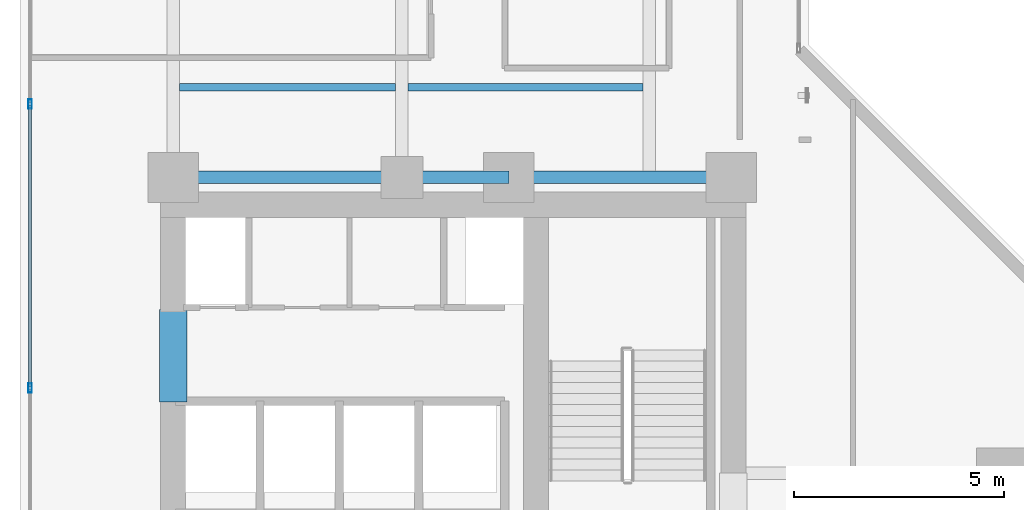
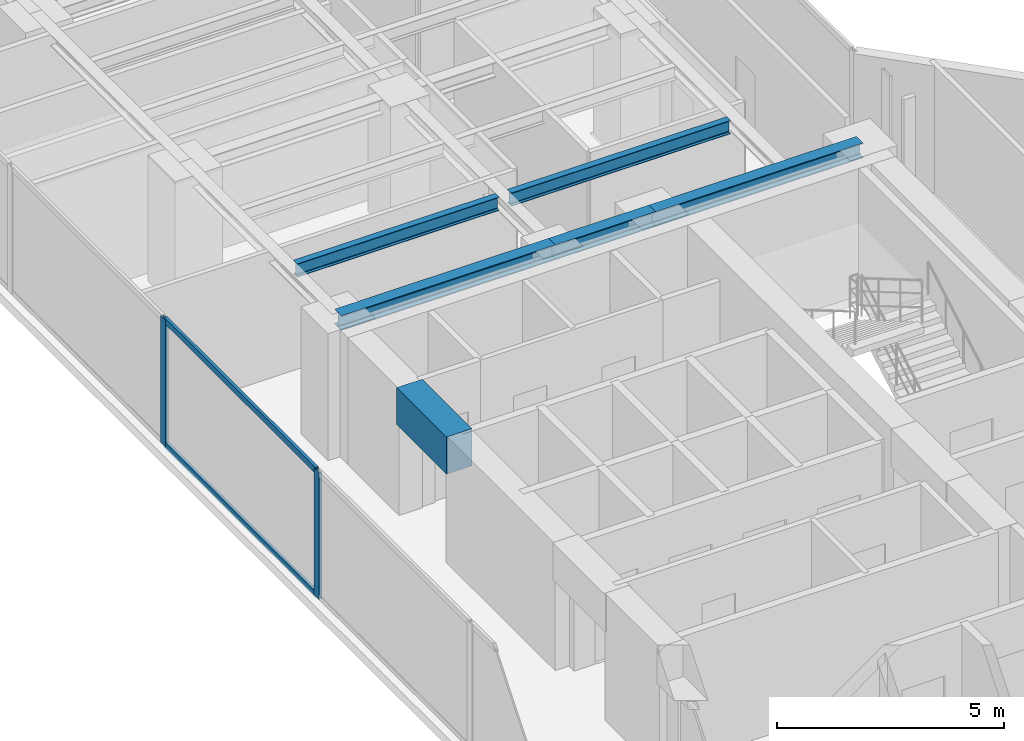
# One storey, part 6 of 26: 6 beams, 4 members, 1 element without a shape of its own.
"""IFC4 building model written with IfcOpenShell, lengths in metres."""

import ifcopenshell
import ifcopenshell.guid

model = None  # the IFC model being written
_history = None  # IfcOwnerHistory: only IFC2X3 demands one
_inside = {}  # id of a spatial element -> (the spatial element, [elements in it])
_under = {}  # id of a project, library or spatial element -> (it, [spatial elements below it])
_declared = {}  # id of a project -> (the project, [libraries it declares])
_typed = {}  # id of a type object -> (the type object, [elements of that type])
_made_of = {}  # id of a material, layer set ... -> (it, [elements and type objects made of it])


def new_model(schema):
    """Start an empty IFC model of exactly this schema.

    Asked for "IFC4X3", IfcOpenShell would pick the latest addendum, in which some entities
    have other attributes; the version numbers below select the first issue.
    IFC2X3 requires an IfcOwnerHistory on every rooted entity: one is made here for all.
    """
    global model, _history
    if schema == "IFC4X3":
        model = ifcopenshell.file(schema_version=(4, 3, 0, 0))
    else:
        model = ifcopenshell.file(schema=schema)
    _inside.clear()
    _under.clear()
    _declared.clear()
    _typed.clear()
    _made_of.clear()
    _history = None
    if model.schema == "IFC2X3":
        org = make("IfcOrganization", Name="unknown")
        user = make(
            "IfcPersonAndOrganization",
            ThePerson=make("IfcPerson", FamilyName="unknown"),
            TheOrganization=org,
        )
        app = make(
            "IfcApplication",
            ApplicationDeveloper=org,
            Version="unknown",
            ApplicationFullName="unknown",
            ApplicationIdentifier="unknown",
        )
        _history = make(
            "IfcOwnerHistory",
            OwningUser=user,
            OwningApplication=app,
            ChangeAction="ADDED",
            CreationDate=0,
        )
    return model


def make(cls, **values):
    """One entity of the class cls with the attributes given. An attribute that is None is left unset."""
    return model.create_entity(
        cls, **{name: value for name, value in values.items() if value is not None}
    )


def rooted(cls, **values):
    """An entity with a GlobalId (a new one), such as an element, a storey or a relation."""
    return make(cls, GlobalId=ifcopenshell.guid.new(), OwnerHistory=_history, **values)


def si_unit(unit_type, name, prefix=None):
    """IfcSIUnit, for example si_unit("LENGTHUNIT", "METRE", prefix="MILLI")."""
    return make("IfcSIUnit", UnitType=unit_type, Prefix=prefix, Name=name)


def assignment(units):
    """IfcUnitAssignment: the units of a project."""
    return None if units is None else make("IfcUnitAssignment", Units=units)


def point(xyz):
    """IfcCartesianPoint."""
    return None if xyz is None else make("IfcCartesianPoint", Coordinates=xyz)


def direction(xyz):
    """IfcDirection."""
    return None if xyz is None else make("IfcDirection", DirectionRatios=xyz)


def frame(location, z_axis=None, x_axis=None):
    """IfcAxis2Placement3D, a coordinate frame: its origin and axes. An axis left out is left unset."""
    return make(
        "IfcAxis2Placement3D",
        Location=point(location),
        Axis=direction(z_axis),
        RefDirection=direction(x_axis),
    )


def frame_2d(location, x_axis=None):
    """IfcAxis2Placement2D, a coordinate frame in the plane: its origin and x axis."""
    return make(
        "IfcAxis2Placement2D", Location=point(location), RefDirection=direction(x_axis)
    )


def origin():
    """The frame at (0, 0, 0) with its axes left unset."""
    return frame((0.0, 0.0, 0.0))


def origin_with_axes():
    """The frame at (0, 0, 0) with the z axis (0, 0, 1) and the x axis (1, 0, 0) written out."""
    return frame((0.0, 0.0, 0.0), z_axis=(0.0, 0.0, 1.0), x_axis=(1.0, 0.0, 0.0))


def origin_2d():
    """The frame at (0, 0) in the plane with its x axis left unset."""
    return frame_2d((0.0, 0.0))


def place(relative_to, where):
    """IfcLocalPlacement: puts the frame where relative to a parent placement (None: the world)."""
    return make(
        "IfcLocalPlacement", PlacementRelTo=relative_to, RelativePlacement=where
    )


def context(
    kind, dimensions, precision=None, world=None, true_north=None, identifier=None
):
    """IfcGeometricRepresentationContext, for example the 3D "Model" context."""
    return make(
        "IfcGeometricRepresentationContext",
        ContextIdentifier=identifier,
        ContextType=kind,
        CoordinateSpaceDimension=dimensions,
        Precision=precision,
        WorldCoordinateSystem=world,
        TrueNorth=true_north,
    )


def subcontext(parent, identifier, kind, view, scale=None):
    """IfcGeometricRepresentationSubContext, for example "Body" below "Model"."""
    return make(
        "IfcGeometricRepresentationSubContext",
        ContextIdentifier=identifier,
        ContextType=kind,
        ParentContext=parent,
        TargetScale=scale,
        TargetView=view,
    )


def project(units=None, contexts=None):
    """IfcProject with its units and contexts."""
    return rooted(
        "IfcProject",
        Name="project",
        RepresentationContexts=contexts,
        UnitsInContext=assignment(units),
    )


def spatial(cls, under=None, at=None, **own):
    """A site, building, storey or space (cls), placed at a placement, below another one or the project."""
    s = rooted(cls, ObjectPlacement=at, **own)
    if under is not None:
        _under.setdefault(under.id(), (under, []))[1].append(s)
    return s


def profile(cls, at=None, kind="AREA", **sizes):
    """A parametric profile (cls). Its sizes go by their IFC names, for example OverallWidth=200.0."""
    return make(cls, ProfileType=kind, Position=at, **sizes)


def rectangle(**sizes):
    """IfcRectangleProfileDef."""
    return profile("IfcRectangleProfileDef", **sizes)


def hollow_rectangle(**sizes):
    """IfcRectangleHollowProfileDef."""
    return profile("IfcRectangleHollowProfileDef", **sizes)


def i_section(**sizes):
    """IfcIShapeProfileDef."""
    return profile("IfcIShapeProfileDef", **sizes)


def extrude(swept, where, along, depth):
    """IfcExtrudedAreaSolid: the profile swept, set in the frame where, extruded along a direction by depth."""
    return make(
        "IfcExtrudedAreaSolid",
        SweptArea=swept,
        Position=where,
        ExtrudedDirection=direction(along),
        Depth=depth,
    )


def shape(context_of_items, identifier, shape_type, items):
    """IfcShapeRepresentation: the items that make up one representation, for example the "Body"."""
    return make(
        "IfcShapeRepresentation",
        ContextOfItems=context_of_items,
        RepresentationIdentifier=identifier,
        RepresentationType=shape_type,
        Items=items,
    )


def source(mapping_origin, context_of_items, identifier, shape_type, items):
    """IfcRepresentationMap: a shape defined once, which mapped items show again and again."""
    return make(
        "IfcRepresentationMap",
        MappingOrigin=mapping_origin,
        MappedRepresentation=shape(context_of_items, identifier, shape_type, items),
    )


def transform(
    local_origin,
    x_axis=None,
    y_axis=None,
    z_axis=None,
    scale=None,
    scale2=None,
    scale3=None,
    uniform=True,
):
    """IfcCartesianTransformationOperator3D, or its non-uniform kind. x_axis, y_axis, z_axis: its Axis1, 2, 3."""
    if uniform:
        return make(
            "IfcCartesianTransformationOperator3D",
            Axis1=direction(x_axis),
            Axis2=direction(y_axis),
            LocalOrigin=point(local_origin),
            Scale=scale,
            Axis3=direction(z_axis),
        )
    return make(
        "IfcCartesianTransformationOperator3DnonUniform",
        Axis1=direction(x_axis),
        Axis2=direction(y_axis),
        LocalOrigin=point(local_origin),
        Scale=scale,
        Axis3=direction(z_axis),
        Scale2=scale2,
        Scale3=scale3,
    )


def mapped(mapping_source, mapping_target):
    """IfcMappedItem: shows the shape of a source again, moved by a transform."""
    return make(
        "IfcMappedItem", MappingSource=mapping_source, MappingTarget=mapping_target
    )


def material(Name=None, Category=None):
    """IfcMaterial."""
    return make("IfcMaterial", Name=Name, Category=Category)


def layer(
    of_material, thickness, ventilated=None, Name=None, Category=None, Priority=None
):
    """IfcMaterialLayer: one layer of a wall or slab, of a material (None: an air gap)."""
    return make(
        "IfcMaterialLayer",
        Material=of_material,
        LayerThickness=thickness,
        IsVentilated=ventilated,
        Name=Name,
        Category=Category,
        Priority=Priority,
    )


def layer_set(layers, Name=None):
    """IfcMaterialLayerSet."""
    return make("IfcMaterialLayerSet", MaterialLayers=layers, LayerSetName=Name)


def material_profile(
    of_material, cross_section, Name=None, Category=None, Priority=None
):
    """IfcMaterialProfile: a cross section and its material."""
    return make(
        "IfcMaterialProfile",
        Name=Name,
        Material=of_material,
        Profile=cross_section,
        Priority=Priority,
        Category=Category,
    )


def profile_set(profiles, Name=None, composite=None):
    """IfcMaterialProfileSet."""
    return make(
        "IfcMaterialProfileSet",
        Name=Name,
        MaterialProfiles=profiles,
        CompositeProfile=composite,
    )


def made_of(thing, what):
    """Note that an element or type object is made of a material, layer set ...; save() writes the relation."""
    if what is not None:
        _made_of.setdefault(what.id(), (what, []))[1].append(thing)
    return thing


def type_object(cls, material=None, **own):
    """A type object (cls), such as IfcWallType, which elements share."""
    return made_of(rooted(cls, **own), material)


def element(
    cls,
    number,
    at=None,
    inside=None,
    cuts=None,
    type_object=None,
    material=None,
    context=None,
    identifier="Body",
    shape_type=None,
    held_by="IfcProductDefinitionShape",
    body=None,
    shapes=None,
    **own,
):
    """One element of the class cls, such as IfcWall. Its Tag is "e" and its number.

    at: its placement. inside: the storey or other place that contains it. cuts: it is an
    opening in that element (IfcRelVoidsElement). A single representation is given by context,
    identifier, shape_type and body (its items); several are given by shapes. held_by: the class
    of the entity that holds the representations. save() writes the other relations.
    """
    e = rooted(cls, Tag="e%d" % number, ObjectPlacement=at, **own)
    if body is not None:
        shapes = [shape(context, identifier, shape_type, body)]
    if shapes is not None:
        e.Representation = make(held_by, Representations=shapes)
    if inside is not None:
        _inside.setdefault(inside.id(), (inside, []))[1].append(e)
    if cuts is not None:
        rooted(
            "IfcRelVoidsElement", RelatingBuildingElement=cuts, RelatedOpeningElement=e
        )
    if type_object is not None:
        _typed.setdefault(type_object.id(), (type_object, []))[1].append(e)
    return made_of(e, material)


def aggregate(whole, parts):
    """IfcRelAggregates: a whole, such as a stair, and the parts it consists of."""
    return rooted("IfcRelAggregates", RelatingObject=whole, RelatedObjects=parts)


def save(model, path):
    """Write the relations noted so far, then the file.

    IfcRelAggregates (storeys below a building ...), IfcRelContainedInSpatialStructure (elements
    in a storey), IfcRelDefinesByType, IfcRelAssociatesMaterial and IfcRelDeclares: one each for
    every whole, place, type object, material and project.
    """
    for whole, parts in _under.values():
        aggregate(whole, parts)
    for where, things in _inside.values():
        rooted(
            "IfcRelContainedInSpatialStructure",
            RelatedElements=things,
            RelatingStructure=where,
        )
    for kind, things in _typed.values():
        rooted("IfcRelDefinesByType", RelatedObjects=things, RelatingType=kind)
    for what, things in _made_of.values():
        rooted("IfcRelAssociatesMaterial", RelatedObjects=things, RelatingMaterial=what)
    for by, libraries in _declared.values():
        rooted("IfcRelDeclares", RelatingContext=by, RelatedDefinitions=libraries)
    model.write(path)


model = new_model("IFC4")

# Units and contexts
model_context = context("Model", 3, precision=1e-05, world=origin(), true_north=direction((0.0, 1.0)))
body_context = subcontext(model_context, "Body", "Model", "MODEL_VIEW")
ifc_project = project(units=[si_unit("LENGTHUNIT", "METRE"), si_unit("AREAUNIT", "SQUARE_METRE"), si_unit("VOLUMEUNIT", "CUBIC_METRE"), si_unit("PLANEANGLEUNIT", "RADIAN"), si_unit("MASSUNIT", "GRAM", prefix="KILO")], contexts=[model_context])

# Site, building, storey
site_placement = place(None, origin())
site = spatial("IfcSite", under=ifc_project, at=site_placement, CompositionType="ELEMENT")
building_placement = place(site_placement, origin())
building = spatial("IfcBuilding", under=site, at=building_placement, Name="Kolvaren Waterfront Exchange", CompositionType="ELEMENT")
storey_placement = place(building_placement, frame((0.0, 0.0, 195.60009765625)))
storey = spatial("IfcBuildingStorey", under=building, at=storey_placement, Name="L50", CompositionType="ELEMENT", Elevation=195.60009765625)

# Beams
ifc_material_1 = material(Name="Steel S355", Category="steel")
ifc_material_profile_1 = material_profile(ifc_material_1, i_section(OverallWidth=0.300048828125, OverallDepth=0.39990234375, WebThickness=0.013427734375, FlangeThickness=0.02392578125, FilletRadius=0.027099609375, at=origin_2d()), Name="HEB400")
ifc_profile_set_1 = profile_set([ifc_material_profile_1], Name="Steel S355")
beam_type_1 = type_object("IfcBeamType", Name="STR-BM-HEB400", PredefinedType="BEAM", material=ifc_profile_set_1)
beam_1_placement = place(storey_placement, frame((7.449951171875, 24.449951171875, 3.219970703125), z_axis=(1.0, 0.0, 0.0), x_axis=(0.0, 1.0, 0.0)))
element("IfcBeam", 1, at=beam_1_placement, inside=storey, type_object=beam_type_1, Name="L50 north-arm girder 1A", PredefinedType="BEAM", context=body_context, shape_type="SweptSolid", body=[
    extrude(i_section(OverallWidth=0.300048828125, OverallDepth=0.39990234375, WebThickness=0.013427734375, FlangeThickness=0.02392578125, FilletRadius=0.027099609375, at=origin_2d()), origin(), (0.0, 0.0, 1.0), 5.449951171875),
])
beam_2_placement = place(storey_placement, frame((12.89990234375, 24.449951171875, 3.219970703125), z_axis=(1.0, 0.0, 0.0), x_axis=(0.0, 1.0, 0.0)))
element("IfcBeam", 2, at=beam_2_placement, inside=storey, type_object=beam_type_1, Name="L50 north-arm girder 1B", PredefinedType="BEAM", context=body_context, shape_type="SweptSolid", body=[
    extrude(i_section(OverallWidth=0.300048828125, OverallDepth=0.39990234375, WebThickness=0.013427734375, FlangeThickness=0.02392578125, FilletRadius=0.027099609375, at=origin_2d()), origin(), (0.0, 0.0, 1.0), 2.550048828125),
])
beam_3_placement = place(storey_placement, frame((15.449951171875, 24.449951171875, 3.219970703125), z_axis=(1.0, 0.0, 0.0), x_axis=(0.0, 1.0, 0.0)))
element("IfcBeam", 3, at=beam_3_placement, inside=storey, type_object=beam_type_1, Name="L50 north-arm girder 1C", PredefinedType="BEAM", context=body_context, shape_type="SweptSolid", body=[
    extrude(i_section(OverallWidth=0.300048828125, OverallDepth=0.39990234375, WebThickness=0.013427734375, FlangeThickness=0.02392578125, FilletRadius=0.027099609375, at=origin_2d()), origin(), (0.0, 0.0, 1.0), 5.300048828125),
])
ifc_material_profile_2 = material_profile(ifc_material_1, i_section(OverallWidth=0.169921875, OverallDepth=0.360107421875, WebThickness=0.008056640625, FlangeThickness=0.0126953125, FilletRadius=0.01806640625, at=origin_2d()), Name="IPE360")
ifc_profile_set_2 = profile_set([ifc_material_profile_2], Name="Steel S355")
beam_type_2 = type_object("IfcBeamType", Name="STR-BM-IPE360", PredefinedType="JOIST", material=ifc_profile_set_2)
beam_4_placement = place(storey_placement, frame((7.60205078125, 26.60009765625, 3.239990234375), z_axis=(1.0, 0.0, 0.0), x_axis=(0.0, 1.0, 0.0)))
element("IfcBeam", 4, at=beam_4_placement, inside=storey, type_object=beam_type_2, Name="L50 north-arm composite joist 1A", PredefinedType="JOIST", context=body_context, shape_type="SweptSolid", body=[
    extrude(i_section(OverallWidth=0.169921875, OverallDepth=0.360107421875, WebThickness=0.008056640625, FlangeThickness=0.0126953125, FilletRadius=0.01806640625, at=origin_2d()), origin(), (0.0, 0.0, 1.0), 5.14599609375),
])
beam_5_placement = place(storey_placement, frame((13.052001953125, 26.60009765625, 3.239990234375), z_axis=(1.0, 0.0, 0.0), x_axis=(0.0, 1.0, 0.0)))
element("IfcBeam", 5, at=beam_5_placement, inside=storey, type_object=beam_type_2, Name="L50 north-arm composite joist 1B", PredefinedType="JOIST", context=body_context, shape_type="SweptSolid", body=[
    extrude(i_section(OverallWidth=0.169921875, OverallDepth=0.360107421875, WebThickness=0.008056640625, FlangeThickness=0.0126953125, FilletRadius=0.01806640625, at=origin_2d()), origin(), (0.0, 0.0, 1.0), 5.595947265625),
])
ifc_material_2 = material(Name="Concrete C60/75", Category="concrete")
ifc_material_profile_3 = material_profile(ifc_material_2, rectangle(XDim=0.64990234375, YDim=1.0, at=origin_2d()), Name="RC-CB-1000x650")
ifc_profile_set_3 = profile_set([ifc_material_profile_3], Name="Concrete C60/75")
beam_type_3 = type_object("IfcBeamType", Name="STR-CB-1000", PredefinedType="SPANDREL", material=ifc_profile_set_3)
beam_6_placement = place(storey_placement, frame((7.449951171875, 19.10009765625, 2.919921875), z_axis=(0.0, 1.0, 0.0), x_axis=(-1.0, 0.0, 0.0)))
element("IfcBeam", 6, at=beam_6_placement, inside=storey, type_object=beam_type_3, Name="L50 core coupling beam 5", PredefinedType="SPANDREL", context=body_context, shape_type="SweptSolid", body=[
    extrude(rectangle(XDim=0.64990234375, YDim=1.0, at=origin_2d()), origin(), (0.0, 0.0, 1.0), 2.199951171875),
])

# Curtain wall, members
ifc_material_3 = material(Name="Anodised aluminium 6063-T6", Category="aluminium")
ifc_layer = layer(ifc_material_3, 0.219970703125, Name="Anodised aluminium 6063-T6")
ifc_layer_set = layer_set([ifc_layer], Name="Anodised aluminium 6063-T6")
curtain_wall_type = type_object("IfcCurtainWallType", Name="ARC-CW-SYS2", PredefinedType="USERDEFINED", material=ifc_layer_set)
curtain_wall_placement = place(storey_placement, origin())
curtain_wall = element("IfcCurtainWall", 7, at=curtain_wall_placement, inside=storey, type_object=curtain_wall_type, Name="L50 stick curtain wall CW2 (CW-L50-W)", ObjectType="STICK CURTAIN WALL", PredefinedType="USERDEFINED")
ifc_material_profile_4 = material_profile(ifc_material_3, hollow_rectangle(XDim=0.080078125, YDim=0.219970703125, WallThickness=0.0048828125, at=origin_2d()), Name="ALU-MUL-220x80x5")
ifc_profile_set_4 = profile_set([ifc_material_profile_4], Name="Anodised aluminium 6063-T6")
member_type_1 = type_object("IfcMemberType", Name="ARC-CWM-220", PredefinedType="MULLION", material=ifc_profile_set_4)
shared_shape_1 = source(origin_with_axes(), body_context, "Body", "SweptSolid", [
    extrude(hollow_rectangle(XDim=0.080078125, YDim=0.219970703125, WallThickness=0.0048828125, at=origin_2d()), origin(), (0.0, 0.0, 1.0), 3.419921875),
])
member_1_placement = place(storey_placement, frame((4.0400390625, 19.433349609375, 0.0), z_axis=(0.0, 0.0, 1.0), x_axis=(-1.0, 0.0, 0.0)))
member_1 = element("IfcMember", 8, at=member_1_placement, type_object=member_type_1, Name="CW2 mullion 3", PredefinedType="MULLION", context=body_context, shape_type="MappedRepresentation", body=[
    mapped(shared_shape_1, transform((0.0, 0.0, 0.0), x_axis=(1.0, 0.0, 0.0), y_axis=(0.0, 1.0, 0.0), z_axis=(0.0, 0.0, 1.0), scale=1.0)),
])
member_2_placement = place(storey_placement, frame((4.0400390625, 26.199951171875, 0.0), z_axis=(0.0, 0.0, 1.0), x_axis=(-1.0, 0.0, 0.0)))
member_2 = element("IfcMember", 9, at=member_2_placement, type_object=member_type_1, Name="CW2 mullion 4", PredefinedType="MULLION", context=body_context, shape_type="MappedRepresentation", body=[
    mapped(shared_shape_1, transform((0.0, 0.0, 0.0), x_axis=(1.0, 0.0, 0.0), y_axis=(0.0, 1.0, 0.0), z_axis=(0.0, 0.0, 1.0), scale=1.0)),
])
ifc_material_profile_5 = material_profile(ifc_material_3, hollow_rectangle(XDim=0.074951171875, YDim=0.159912109375, WallThickness=0.00439453125, at=origin_2d()), Name="ALU-TRN-160x75x4.5")
ifc_profile_set_5 = profile_set([ifc_material_profile_5], Name="Anodised aluminium 6063-T6")
member_type_2 = type_object("IfcMemberType", Name="ARC-CWT-160", PredefinedType="USERDEFINED", material=ifc_profile_set_5)
shared_shape_2 = source(origin_with_axes(), body_context, "Body", "SweptSolid", [
    extrude(hollow_rectangle(XDim=0.074951171875, YDim=0.159912109375, WallThickness=0.00439453125, at=origin_2d()), origin(), (0.0, 0.0, 1.0), 6.6865234375),
])
member_3_placement = place(storey_placement, frame((4.0400390625, 19.473388671875, 0.037353515625), z_axis=(0.0, 1.0, 0.0), x_axis=(-1.0, 0.0, 0.0)))
member_3 = element("IfcMember", 10, at=member_3_placement, type_object=member_type_2, Name="CW2 transom 3.1", ObjectType="TRANSOM", PredefinedType="USERDEFINED", context=body_context, shape_type="MappedRepresentation", body=[
    mapped(shared_shape_2, transform((0.0, 0.0, 0.0), x_axis=(1.0, 0.0, 0.0), y_axis=(0.0, 1.0, 0.0), z_axis=(0.0, 0.0, 1.0), scale=1.0)),
])
member_4_placement = place(storey_placement, frame((4.0400390625, 19.473388671875, 3.38232421875), z_axis=(0.0, 1.0, 0.0), x_axis=(-1.0, 0.0, 0.0)))
member_4 = element("IfcMember", 11, at=member_4_placement, type_object=member_type_2, Name="CW2 transom 3.2", ObjectType="TRANSOM", PredefinedType="USERDEFINED", context=body_context, shape_type="MappedRepresentation", body=[
    mapped(shared_shape_2, transform((0.0, 0.0, 0.0), x_axis=(1.0, 0.0, 0.0), y_axis=(0.0, 1.0, 0.0), z_axis=(0.0, 0.0, 1.0), scale=1.0)),
])
aggregate(curtain_wall, [member_1, member_2, member_3, member_4])

save(model, "model.ifc")
